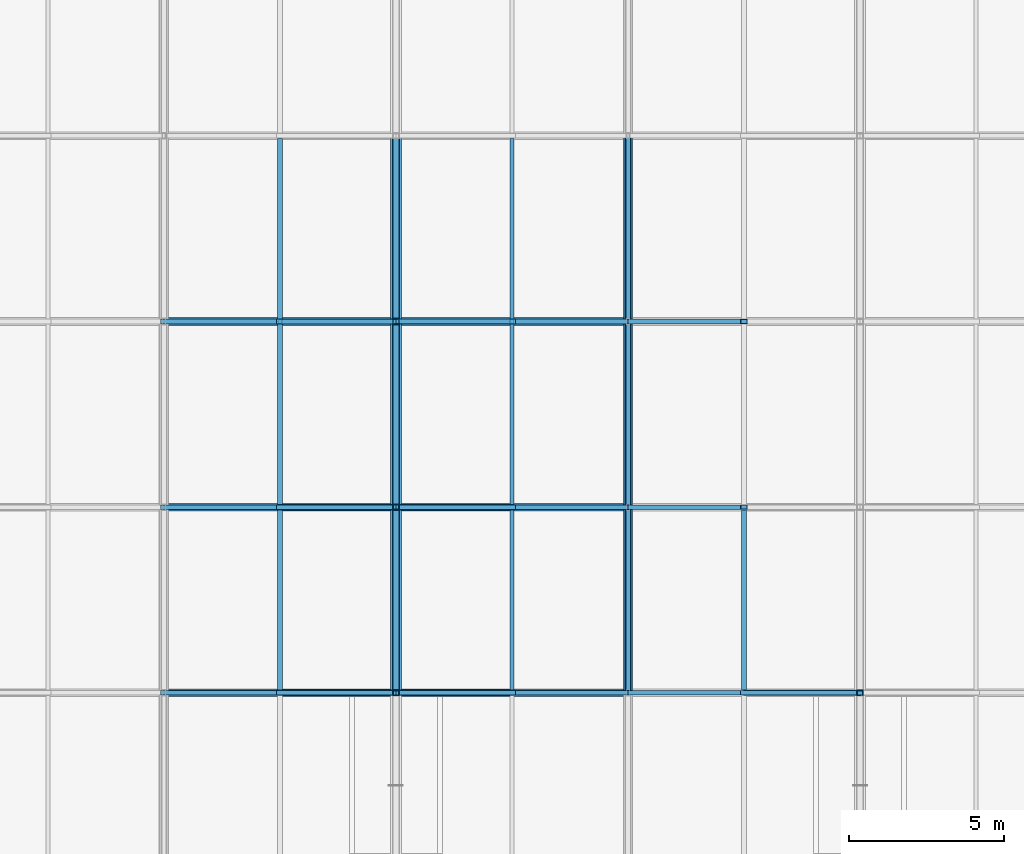
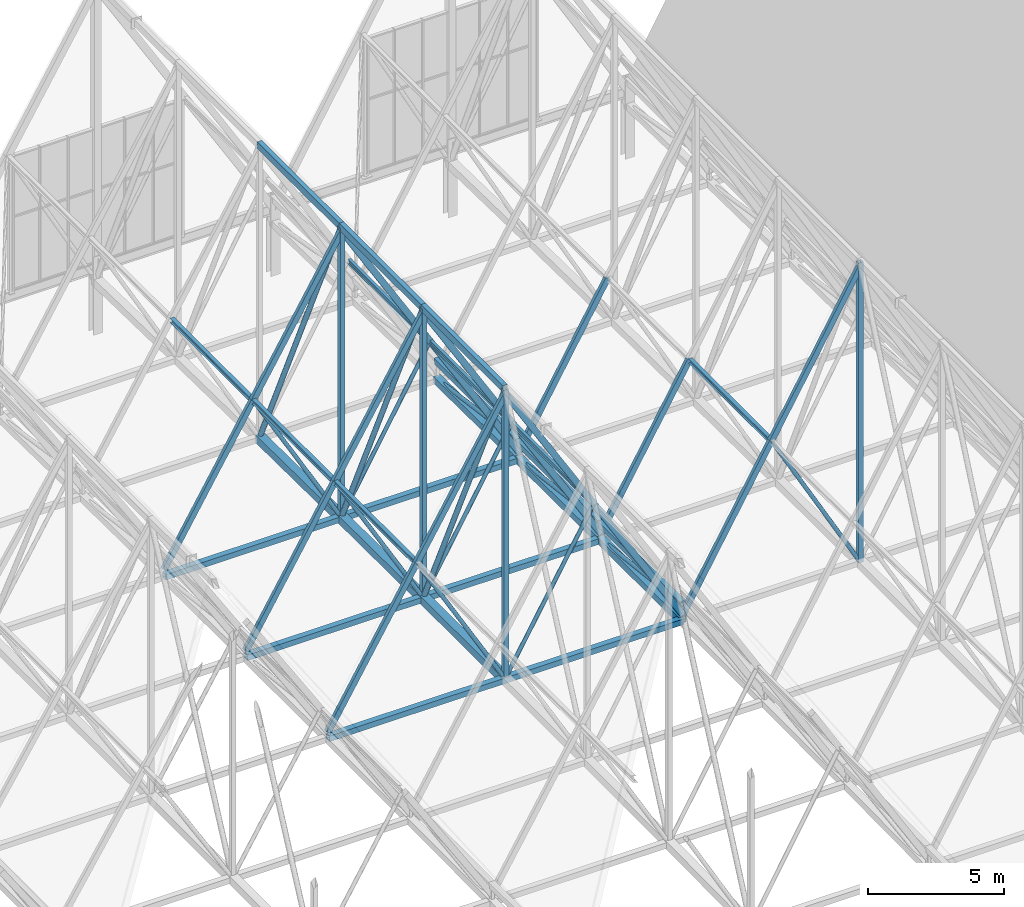
# One storey, part 112 of 324: 48 members, 7 beams.
"""IFC4 building model written with IfcOpenShell, lengths in metres."""

from ifc_helpers import new_model, si_unit, direction, frame, origin, origin_2d, place, context, subcontext, project, spatial, hollow_rectangle, hollow_circle, i_section, extrude, material, material_profile, profile_set, type_object, element, save


model = new_model("IFC4")

# Units and contexts
model_context = context("Model", 3, precision=1e-05, world=origin(), true_north=direction((0.0, 1.0)))
body_context = subcontext(model_context, "Body", "Model", "MODEL_VIEW")
ifc_project = project(units=[si_unit("LENGTHUNIT", "METRE"), si_unit("AREAUNIT", "SQUARE_METRE"), si_unit("VOLUMEUNIT", "CUBIC_METRE"), si_unit("PLANEANGLEUNIT", "RADIAN"), si_unit("MASSUNIT", "GRAM", prefix="KILO")], contexts=[model_context])

# Site, building, storey
site_placement = place(None, origin())
site = spatial("IfcSite", under=ifc_project, at=site_placement, CompositionType="ELEMENT")
building_placement = place(site_placement, origin())
building = spatial("IfcBuilding", under=site, at=building_placement, Name="Solvenia Promenade Tram Depot", CompositionType="ELEMENT")
storey_placement = place(building_placement, frame((0.0, 0.0, 4.5)))
storey = spatial("IfcBuildingStorey", under=building, at=storey_placement, Name="L01", CompositionType="ELEMENT", Elevation=4.5)

# Members
ifc_material_1 = material(Name="Structural steel ASTM A500 Gr. C", Category="steel")
ifc_material_profile_1 = material_profile(ifc_material_1, hollow_circle(Radius=0.109619140625, WallThickness=0.008056640625, at=origin_2d()), Name="CHS219.1x8", Category="steel")
ifc_profile_set_1 = profile_set([ifc_material_profile_1], Name="Structural steel ASTM A500 Gr. C")
member_type_1 = type_object("IfcMemberType", Name="Brace-CHS219x8", PredefinedType="BRACE", material=ifc_profile_set_1)
member_1_placement = place(storey_placement, frame((37.5, 102.0, 2.656005859375), z_axis=(0.0, -0.419298352523, 0.907848495935), x_axis=(1.0, 0.0, 0.0)))
element("IfcMember", 1, at=member_1_placement, inside=storey, type_object=member_type_1, Name="Arched Truss T06 Web Diagonal S06", PredefinedType="BRACE", context=body_context, shape_type="SweptSolid", body=[
    extrude(hollow_circle(Radius=0.109619140625, WallThickness=0.008056640625, at=origin_2d()), origin(), (0.0, 0.0, 1.0), 14.3095703125),
])
member_2_placement = place(storey_placement, frame((37.5, 108.0, 2.614013671875), z_axis=(0.0, -0.418183944587, 0.908362366289), x_axis=(1.0, 0.0, 0.0)))
element("IfcMember", 2, at=member_2_placement, inside=storey, type_object=member_type_1, Name="Arched Truss T06 Web Diagonal S07", PredefinedType="BRACE", context=body_context, shape_type="SweptSolid", body=[
    extrude(hollow_circle(Radius=0.109619140625, WallThickness=0.008056640625, at=origin_2d()), origin(), (0.0, 0.0, 1.0), 14.34765625),
])
member_3_placement = place(storey_placement, frame((37.5, 114.0, 2.5439453125), z_axis=(0.0, -0.416336188857, 0.909210744464), x_axis=(1.0, 0.0, 0.0)))
element("IfcMember", 3, at=member_3_placement, inside=storey, type_object=member_type_1, Name="Arched Truss T06 Web Diagonal S08", PredefinedType="BRACE", context=body_context, shape_type="SweptSolid", body=[
    extrude(hollow_circle(Radius=0.109619140625, WallThickness=0.008056640625, at=origin_2d()), origin(), (0.0, 0.0, 1.0), 14.411376953125),
])
ifc_material_profile_2 = material_profile(ifc_material_1, hollow_rectangle(XDim=0.14990234375, YDim=0.25, WallThickness=0.010009765625, at=origin_2d()), Name="HSS250x150x10", Category="steel")
ifc_profile_set_2 = profile_set([ifc_material_profile_2], Name="Structural steel ASTM A500 Gr. C")
member_type_2 = type_object("IfcMemberType", Name="Chord-HSS250x150x10", PredefinedType="CHORD", material=ifc_profile_set_2)
for number, where, z_axis, x_axis, name in (
    (4, (30.0, 96.0, 2.93017578125), (0.514584433357, 0.0, 0.857439712718), (0.0, 1.0, 0.0), "Zigzag Gable 03 West Lower Rafter"),
    (5, (33.75, 96.0, 9.1787109375), (0.514584433357, 0.0, 0.857439712718), (0.0, 1.0, 0.0), "Zigzag Gable 03 West Upper Rafter"),
    (6, (37.5, 96.0, 15.42724609375), (0.514584433357, 0.0, -0.857439712718), (0.0, 1.0, 0.0), "Zigzag Gable 03 East Upper Rafter"),
    (7, (41.25, 96.0, 9.1787109375), (0.514584433357, 0.0, -0.857439712718), (0.0, 1.0, 0.0), "Zigzag Gable 03 East Lower Rafter"),
    (8, (30.0, 102.0, 2.93017578125), (0.514584433357, 0.0, 0.857439712718), (0.0, 1.0, 0.0), "Zigzag Gable 03 West Lower Rafter"),
    (9, (33.75, 102.0, 9.1787109375), (0.514584433357, 0.0, 0.857439712718), (0.0, 1.0, 0.0), "Zigzag Gable 03 West Upper Rafter"),
    (10, (37.5, 102.0, 15.42724609375), (0.514584433357, 0.0, -0.857439712718), (0.0, 1.0, 0.0), "Zigzag Gable 03 East Upper Rafter"),
    (11, (41.25, 102.0, 9.1787109375), (0.514584433357, 0.0, -0.857439712718), (0.0, 1.0, 0.0), "Zigzag Gable 03 East Lower Rafter"),
    (12, (30.0, 108.0, 2.93017578125), (0.514584433357, 0.0, 0.857439712718), (0.0, 1.0, 0.0), "Zigzag Gable 03 West Lower Rafter"),
    (13, (33.75, 108.0, 9.1787109375), (0.514584433357, 0.0, 0.857439712718), (0.0, 1.0, 0.0), "Zigzag Gable 03 West Upper Rafter"),
    (14, (37.5, 108.0, 15.42724609375), (0.514584433357, 0.0, -0.857439712718), (0.0, 1.0, 0.0), "Zigzag Gable 03 East Upper Rafter"),
    (15, (41.25, 108.0, 9.1787109375), (0.514584433357, 0.0, -0.857439712718), (0.0, 1.0, 0.0), "Zigzag Gable 03 East Lower Rafter"),
):
    element("IfcMember", number, at=place(storey_placement, frame(where, z_axis=z_axis, x_axis=x_axis)), inside=storey, type_object=member_type_2, Name=name, PredefinedType="CHORD", context=body_context, shape_type="SweptSolid", body=[
        extrude(hollow_rectangle(XDim=0.14990234375, YDim=0.25, WallThickness=0.010009765625, at=origin_2d()), origin(), (0.0, 0.0, 1.0), 7.287353515625),
    ])
for number, where, z_axis, x_axis, name in (
    (16, (45.0, 96.0, 2.921142578125), (0.501516268578, 0.0, 0.865148214095), (0.0, 1.0, 0.0), "Zigzag Gable 04 West Lower Rafter"),
    (17, (48.75, 96.0, 9.39013671875), (0.501516268578, 0.0, 0.865148214095), (0.0, 1.0, 0.0), "Zigzag Gable 04 West Upper Rafter"),
    (18, (45.0, 102.0, 2.921142578125), (0.501516268578, 0.0, 0.865148214095), (0.0, 1.0, 0.0), "Zigzag Gable 04 West Lower Rafter"),
    (19, (45.0, 108.0, 2.921142578125), (0.501516268578, 0.0, 0.865148214095), (0.0, 1.0, 0.0), "Zigzag Gable 04 West Lower Rafter"),
):
    element("IfcMember", number, at=place(storey_placement, frame(where, z_axis=z_axis, x_axis=x_axis)), inside=storey, type_object=member_type_2, Name=name, PredefinedType="CHORD", context=body_context, shape_type="SweptSolid", body=[
        extrude(hollow_rectangle(XDim=0.14990234375, YDim=0.25, WallThickness=0.010009765625, at=origin_2d()), origin(), (0.0, 0.0, 1.0), 7.477294921875),
    ])
ifc_material_profile_3 = material_profile(ifc_material_1, hollow_rectangle(XDim=0.25, YDim=0.25, WallThickness=0.010009765625, at=origin_2d()), Name="HSS250x250x10", Category="steel")
ifc_profile_set_3 = profile_set([ifc_material_profile_3], Name="Structural steel ASTM A500 Gr. C")
member_type_3 = type_object("IfcMemberType", Name="Chord-HSS250x250x10", PredefinedType="CHORD", material=ifc_profile_set_3)
for number, where, z_axis, x_axis, name in (
    (20, (45.0, 96.0, 3.3798828125), (0.0, 1.0, 0.0), (-1.0, 0.0, 0.0), "Arched Truss T07 Upper Chord S06"),
    (21, (45.0, 102.0, 3.3798828125), (0.0, 1.0, 0.0), (-1.0, 0.0, 0.0), "Arched Truss T07 Upper Chord S07"),
    (22, (45.0, 108.0, 3.3798828125), (0.0, 1.0, 0.0), (-1.0, 0.0, 0.0), "Arched Truss T07 Upper Chord S08"),
):
    element("IfcMember", number, at=place(storey_placement, frame(where, z_axis=z_axis, x_axis=x_axis)), inside=storey, type_object=member_type_3, Name=name, PredefinedType="CHORD", context=body_context, shape_type="SweptSolid", body=[
        extrude(hollow_rectangle(XDim=0.25, YDim=0.25, WallThickness=0.010009765625, at=origin_2d()), origin(), (0.0, 0.0, 1.0), 6.0),
    ])
for number, where, z_axis, x_axis, name in (
    (23, (30.0, 96.0, 2.669921875), (1.0, 0.0, 0.0), (0.0, 1.0, 0.0), "Bottom-Chord Catenary Lateral Tie 023"),
    (24, (30.0, 102.0, 2.656005859375), (1.0, 0.0, 0.0), (0.0, 1.0, 0.0), "Bottom-Chord Catenary Lateral Tie 024"),
    (25, (30.0, 108.0, 2.614013671875), (1.0, 0.0, 0.0), (0.0, 1.0, 0.0), "Bottom-Chord Catenary Lateral Tie 025"),
):
    element("IfcMember", number, at=place(storey_placement, frame(where, z_axis=z_axis, x_axis=x_axis)), inside=storey, type_object=member_type_3, Name=name, PredefinedType="CHORD", context=body_context, shape_type="SweptSolid", body=[
        extrude(hollow_rectangle(XDim=0.25, YDim=0.25, WallThickness=0.010009765625, at=origin_2d()), origin(), (0.0, 0.0, 1.0), 15.0),
    ])
ifc_material_profile_4 = material_profile(ifc_material_1, hollow_rectangle(XDim=0.199951171875, YDim=0.300048828125, WallThickness=0.012451171875, at=origin_2d()), Name="HSS300x200x12.5", Category="steel")
ifc_profile_set_4 = profile_set([ifc_material_profile_4], Name="Structural steel ASTM A500 Gr. C")
member_type_4 = type_object("IfcMemberType", Name="Chord-HSS300x200x12", PredefinedType="CHORD", material=ifc_profile_set_4)
for number, where, z_axis, x_axis, name in (
    (26, (37.5, 96.0, 15.64697265625), (0.0, 1.0, 0.0), (-1.0, 0.0, 0.0), "Arched Truss T06 Upper Chord S06"),
    (27, (37.5, 102.0, 15.64697265625), (0.0, 1.0, 0.0), (-1.0, 0.0, 0.0), "Arched Truss T06 Upper Chord S07"),
    (28, (37.5, 108.0, 15.64697265625), (0.0, 1.0, 0.0), (-1.0, 0.0, 0.0), "Arched Truss T06 Upper Chord S08"),
):
    element("IfcMember", number, at=place(storey_placement, frame(where, z_axis=z_axis, x_axis=x_axis)), inside=storey, type_object=member_type_4, Name=name, PredefinedType="CHORD", context=body_context, shape_type="SweptSolid", body=[
        extrude(hollow_rectangle(XDim=0.199951171875, YDim=0.300048828125, WallThickness=0.012451171875, at=origin_2d()), origin(), (0.0, 0.0, 1.0), 6.0),
    ])
ifc_material_profile_5 = material_profile(ifc_material_1, hollow_rectangle(XDim=0.300048828125, YDim=0.300048828125, WallThickness=0.012451171875, at=origin_2d()), Name="HSS300x300x12.5", Category="steel")
ifc_profile_set_5 = profile_set([ifc_material_profile_5], Name="Structural steel ASTM A500 Gr. C")
member_type_5 = type_object("IfcMemberType", Name="Chord-HSS300x300x12", PredefinedType="CHORD", material=ifc_profile_set_5)
member_4_placement = place(storey_placement, frame((45.0, 96.0, 2.669921875), z_axis=(0.0, 0.999997310351, -0.002319329699), x_axis=(-1.0, 0.0, 0.0)))
element("IfcMember", 29, at=member_4_placement, inside=storey, type_object=member_type_5, Name="Arched Truss T07 Bottom Chord S06", PredefinedType="CHORD", context=body_context, shape_type="SweptSolid", body=[
    extrude(hollow_rectangle(XDim=0.300048828125, YDim=0.300048828125, WallThickness=0.012451171875, at=origin_2d()), origin(), (0.0, 0.0, 1.0), 6.0),
])
member_5_placement = place(storey_placement, frame((45.0, 102.0, 2.656005859375), z_axis=(0.0, 0.999975510013, -0.006998526519), x_axis=(-1.0, 0.0, 0.0)))
element("IfcMember", 30, at=member_5_placement, inside=storey, type_object=member_type_5, Name="Arched Truss T07 Bottom Chord S07", PredefinedType="CHORD", context=body_context, shape_type="SweptSolid", body=[
    extrude(hollow_rectangle(XDim=0.300048828125, YDim=0.300048828125, WallThickness=0.012451171875, at=origin_2d()), origin(), (0.0, 0.0, 1.0), 6.000244140625),
])
member_6_placement = place(storey_placement, frame((45.0, 108.0, 2.614013671875), z_axis=(0.0, 0.999931818432, -0.011677263667), x_axis=(-1.0, 0.0, 0.0)))
element("IfcMember", 31, at=member_6_placement, inside=storey, type_object=member_type_5, Name="Arched Truss T07 Bottom Chord S08", PredefinedType="CHORD", context=body_context, shape_type="SweptSolid", body=[
    extrude(hollow_rectangle(XDim=0.300048828125, YDim=0.300048828125, WallThickness=0.012451171875, at=origin_2d()), origin(), (0.0, 0.0, 1.0), 6.00048828125),
])
ifc_material_profile_6 = material_profile(ifc_material_1, hollow_rectangle(XDim=0.35009765625, YDim=0.35009765625, WallThickness=0.01611328125, at=origin_2d()), Name="HSS350x350x16", Category="steel")
ifc_profile_set_6 = profile_set([ifc_material_profile_6], Name="Structural steel ASTM A500 Gr. C")
member_type_6 = type_object("IfcMemberType", Name="Chord-HSS350x350x16", PredefinedType="CHORD", material=ifc_profile_set_6)
member_7_placement = place(storey_placement, frame((37.5, 96.0, 2.669921875), z_axis=(0.0, 0.999997310351, -0.002319329699), x_axis=(-1.0, 0.0, 0.0)))
element("IfcMember", 32, at=member_7_placement, inside=storey, type_object=member_type_6, Name="Arched Truss T06 Bottom Chord S06", PredefinedType="CHORD", context=body_context, shape_type="SweptSolid", body=[
    extrude(hollow_rectangle(XDim=0.35009765625, YDim=0.35009765625, WallThickness=0.01611328125, at=origin_2d()), origin(), (0.0, 0.0, 1.0), 6.0),
])
member_8_placement = place(storey_placement, frame((37.5, 102.0, 2.656005859375), z_axis=(0.0, 0.999975510013, -0.006998526519), x_axis=(-1.0, 0.0, 0.0)))
element("IfcMember", 33, at=member_8_placement, inside=storey, type_object=member_type_6, Name="Arched Truss T06 Bottom Chord S07", PredefinedType="CHORD", context=body_context, shape_type="SweptSolid", body=[
    extrude(hollow_rectangle(XDim=0.35009765625, YDim=0.35009765625, WallThickness=0.01611328125, at=origin_2d()), origin(), (0.0, 0.0, 1.0), 6.000244140625),
])
member_9_placement = place(storey_placement, frame((37.5, 108.0, 2.614013671875), z_axis=(0.0, 0.999931818432, -0.011677263667), x_axis=(-1.0, 0.0, 0.0)))
element("IfcMember", 34, at=member_9_placement, inside=storey, type_object=member_type_6, Name="Arched Truss T06 Bottom Chord S08", PredefinedType="CHORD", context=body_context, shape_type="SweptSolid", body=[
    extrude(hollow_rectangle(XDim=0.35009765625, YDim=0.35009765625, WallThickness=0.01611328125, at=origin_2d()), origin(), (0.0, 0.0, 1.0), 6.00048828125),
])
ifc_material_profile_7 = material_profile(ifc_material_1, hollow_rectangle(XDim=0.199951171875, YDim=0.199951171875, WallThickness=0.010009765625, at=origin_2d()), Name="HSS200x200x10", Category="steel")
ifc_profile_set_7 = profile_set([ifc_material_profile_7], Name="Structural steel ASTM A500 Gr. C")
member_type_7 = type_object("IfcMemberType", Name="Post-HSS200x200x10", PredefinedType="POST", material=ifc_profile_set_7)
member_10_placement = place(storey_placement, frame((37.5, 96.0, 2.669921875), z_axis=(0.0, 0.0, 1.0), x_axis=(1.0, 0.0, 0.0)))
element("IfcMember", 35, at=member_10_placement, inside=storey, type_object=member_type_7, Name="Arched Truss T06 Web Post S05", PredefinedType="POST", context=body_context, shape_type="SweptSolid", body=[
    extrude(hollow_rectangle(XDim=0.199951171875, YDim=0.199951171875, WallThickness=0.010009765625, at=origin_2d()), origin(), (0.0, 0.0, 1.0), 12.97705078125),
])
member_11_placement = place(storey_placement, frame((37.5, 102.0, 2.656005859375), z_axis=(0.0, 0.0, 1.0), x_axis=(1.0, 0.0, 0.0)))
element("IfcMember", 36, at=member_11_placement, inside=storey, type_object=member_type_7, Name="Arched Truss T06 Web Post S06", PredefinedType="POST", context=body_context, shape_type="SweptSolid", body=[
    extrude(hollow_rectangle(XDim=0.199951171875, YDim=0.199951171875, WallThickness=0.010009765625, at=origin_2d()), origin(), (0.0, 0.0, 1.0), 12.990966796875),
])
member_12_placement = place(storey_placement, frame((37.5, 108.0, 2.614013671875), z_axis=(0.0, 0.0, 1.0), x_axis=(1.0, 0.0, 0.0)))
element("IfcMember", 37, at=member_12_placement, inside=storey, type_object=member_type_7, Name="Arched Truss T06 Web Post S07", PredefinedType="POST", context=body_context, shape_type="SweptSolid", body=[
    extrude(hollow_rectangle(XDim=0.199951171875, YDim=0.199951171875, WallThickness=0.010009765625, at=origin_2d()), origin(), (0.0, 0.0, 1.0), 13.032958984375),
])
member_13_placement = place(storey_placement, frame((52.5, 96.0, 2.669921875), z_axis=(0.0, 0.0, 1.0), x_axis=(1.0, 0.0, 0.0)))
element("IfcMember", 38, at=member_13_placement, inside=storey, type_object=member_type_7, Name="Arched Truss T08 Web Post S05", PredefinedType="POST", context=body_context, shape_type="SweptSolid", body=[
    extrude(hollow_rectangle(XDim=0.199951171875, YDim=0.199951171875, WallThickness=0.010009765625, at=origin_2d()), origin(), (0.0, 0.0, 1.0), 13.41796875),
])

# Beams
ifc_material_2 = material(Name="Structural steel ASTM A992 Gr. 50", Category="steel")
ifc_material_profile_8 = material_profile(ifc_material_2, i_section(OverallWidth=0.133056640625, OverallDepth=0.20703125, WebThickness=0.005859375, FlangeThickness=0.00830078125, FilletRadius=0.009033203125, at=origin_2d()), Name="W200x27", Category="steel")
ifc_profile_set_8 = profile_set([ifc_material_profile_8], Name="Structural steel ASTM A992 Gr. 50")
beam_type_1 = type_object("IfcBeamType", Name="Purlin-W200x27", PredefinedType="USERDEFINED", material=ifc_profile_set_8)
for number, where, z_axis, x_axis, name in (
    (39, (41.25, 96.0849609375, 9.169677734375), (0.0, 1.0, 0.0), (-1.0, 0.0, 0.0), "Gable Roof Purlin E-0052"),
    (40, (41.25, 102.0849609375, 9.169677734375), (0.0, 1.0, 0.0), (-1.0, 0.0, 0.0), "Gable Roof Purlin E-0054"),
    (41, (41.25, 108.0849609375, 9.169677734375), (0.0, 1.0, 0.0), (-1.0, 0.0, 0.0), "Gable Roof Purlin E-0056"),
):
    element("IfcBeam", number, at=place(storey_placement, frame(where, z_axis=z_axis, x_axis=x_axis)), inside=storey, type_object=beam_type_1, Name=name, ObjectType="PURLIN", PredefinedType="USERDEFINED", context=body_context, shape_type="SweptSolid", body=[
        extrude(i_section(OverallWidth=0.133056640625, OverallDepth=0.20703125, WebThickness=0.005859375, FlangeThickness=0.00830078125, FilletRadius=0.009033203125, at=origin_2d()), origin(), (0.0, 0.0, 1.0), 5.830078125),
    ])
ifc_material_profile_9 = material_profile(ifc_material_2, i_section(OverallWidth=0.1650390625, OverallDepth=0.200927734375, WebThickness=0.006103515625, FlangeThickness=0.01025390625, FilletRadius=0.010009765625, at=origin_2d()), Name="W200x36", Category="steel")
ifc_profile_set_9 = profile_set([ifc_material_profile_9], Name="Structural steel ASTM A992 Gr. 50")
beam_type_2 = type_object("IfcBeamType", Name="Purlin-W200x36", PredefinedType="USERDEFINED", material=ifc_profile_set_9)
for number, where, z_axis, x_axis, name in (
    (42, (33.75, 96.0849609375, 9.169677734375), (0.0, 1.0, 0.0), (-1.0, 0.0, 0.0), "Gable Roof Purlin W-0051"),
    (43, (33.75, 102.0849609375, 9.169677734375), (0.0, 1.0, 0.0), (-1.0, 0.0, 0.0), "Gable Roof Purlin W-0053"),
    (44, (33.75, 108.0849609375, 9.169677734375), (0.0, 1.0, 0.0), (-1.0, 0.0, 0.0), "Gable Roof Purlin W-0055"),
    (45, (48.75, 96.0849609375, 9.375732421875), (0.0, 1.0, 0.0), (-1.0, 0.0, 0.0), "Gable Roof Purlin W-0071"),
):
    element("IfcBeam", number, at=place(storey_placement, frame(where, z_axis=z_axis, x_axis=x_axis)), inside=storey, type_object=beam_type_2, Name=name, ObjectType="PURLIN", PredefinedType="USERDEFINED", context=body_context, shape_type="SweptSolid", body=[
        extrude(i_section(OverallWidth=0.1650390625, OverallDepth=0.200927734375, WebThickness=0.006103515625, FlangeThickness=0.01025390625, FilletRadius=0.010009765625, at=origin_2d()), origin(), (0.0, 0.0, 1.0), 5.830078125),
    ])

# Members
ifc_material_profile_10 = material_profile(ifc_material_1, hollow_circle(Radius=0.084228515625, WallThickness=0.008056640625, at=origin_2d()), Name="CHS168.3x8", Category="steel")
ifc_profile_set_10 = profile_set([ifc_material_profile_10], Name="Structural steel ASTM A500 Gr. C")
member_type_8 = type_object("IfcMemberType", Name="WebDiag-CHS168x8", PredefinedType="BRACE", material=ifc_profile_set_10)
member_14_placement = place(storey_placement, frame((45.0, 102.0, 2.656005859375), z_axis=(0.0, -0.992800749036, 0.119777596879), x_axis=(1.0, 0.0, 0.0)))
element("IfcMember", 46, at=member_14_placement, inside=storey, type_object=member_type_8, Name="Arched Truss T07 Web Diagonal S06", PredefinedType="BRACE", context=body_context, shape_type="SweptSolid", body=[
    extrude(hollow_circle(Radius=0.084228515625, WallThickness=0.008056640625, at=origin_2d()), origin(), (0.0, 0.0, 1.0), 6.04345703125),
])
member_15_placement = place(storey_placement, frame((45.0, 108.0, 2.614013671875), z_axis=(0.0, -0.991951613347, 0.126617521609), x_axis=(1.0, 0.0, 0.0)))
element("IfcMember", 47, at=member_15_placement, inside=storey, type_object=member_type_8, Name="Arched Truss T07 Web Diagonal S07", PredefinedType="BRACE", context=body_context, shape_type="SweptSolid", body=[
    extrude(hollow_circle(Radius=0.084228515625, WallThickness=0.008056640625, at=origin_2d()), origin(), (0.0, 0.0, 1.0), 6.048583984375),
])
member_16_placement = place(storey_placement, frame((45.0, 114.0, 2.5439453125), z_axis=(0.0, -0.990433608353, 0.13799009908), x_axis=(1.0, 0.0, 0.0)))
element("IfcMember", 48, at=member_16_placement, inside=storey, type_object=member_type_8, Name="Arched Truss T07 Web Diagonal S08", PredefinedType="BRACE", context=body_context, shape_type="SweptSolid", body=[
    extrude(hollow_circle(Radius=0.084228515625, WallThickness=0.008056640625, at=origin_2d()), origin(), (0.0, 0.0, 1.0), 6.057861328125),
])
for number, where, z_axis, x_axis, name in (
    (49, (37.5, 96.0, 2.669921875), (-0.499215914633, 0.0, 0.866477622664), (0.0, -1.0, 0.0), "Zigzag Gable 03 West Knee Strut"),
    (50, (37.5, 96.0, 2.669921875), (0.499215914633, 0.0, 0.866477622664), (0.0, 1.0, 0.0), "Zigzag Gable 03 East Knee Strut"),
):
    element("IfcMember", number, at=place(storey_placement, frame(where, z_axis=z_axis, x_axis=x_axis)), inside=storey, type_object=member_type_8, Name=name, PredefinedType="BRACE", context=body_context, shape_type="SweptSolid", body=[
        extrude(hollow_circle(Radius=0.084228515625, WallThickness=0.008056640625, at=origin_2d()), origin(), (0.0, 0.0, 1.0), 7.51171875),
    ])
for number, where, z_axis, x_axis, name in (
    (51, (37.5, 102.0, 2.656005859375), (-0.498415644551, 0.0, 0.866938201527), (0.0, -1.0, 0.0), "Zigzag Gable 03 West Knee Strut"),
    (52, (37.5, 102.0, 2.656005859375), (0.498415644551, 0.0, 0.866938201527), (0.0, 1.0, 0.0), "Zigzag Gable 03 East Knee Strut"),
):
    element("IfcMember", number, at=place(storey_placement, frame(where, z_axis=z_axis, x_axis=x_axis)), inside=storey, type_object=member_type_8, Name=name, PredefinedType="BRACE", context=body_context, shape_type="SweptSolid", body=[
        extrude(hollow_circle(Radius=0.084228515625, WallThickness=0.008056640625, at=origin_2d()), origin(), (0.0, 0.0, 1.0), 7.52392578125),
    ])
for number, where, z_axis, x_axis, name in (
    (53, (37.5, 108.0, 2.614013671875), (-0.496013737424, 0.0, 0.868314673541), (0.0, -1.0, 0.0), "Zigzag Gable 03 West Knee Strut"),
    (54, (37.5, 108.0, 2.614013671875), (0.496013737424, 0.0, 0.868314673541), (0.0, 1.0, 0.0), "Zigzag Gable 03 East Knee Strut"),
):
    element("IfcMember", number, at=place(storey_placement, frame(where, z_axis=z_axis, x_axis=x_axis)), inside=storey, type_object=member_type_8, Name=name, PredefinedType="BRACE", context=body_context, shape_type="SweptSolid", body=[
        extrude(hollow_circle(Radius=0.084228515625, WallThickness=0.008056640625, at=origin_2d()), origin(), (0.0, 0.0, 1.0), 7.560302734375),
    ])
member_17_placement = place(storey_placement, frame((52.5, 96.0, 2.669921875), z_axis=(-0.48728515229, 0.0, 0.873242910282), x_axis=(0.0, -1.0, 0.0)))
element("IfcMember", 55, at=member_17_placement, inside=storey, type_object=member_type_8, Name="Zigzag Gable 04 West Knee Strut", PredefinedType="BRACE", context=body_context, shape_type="SweptSolid", body=[
    extrude(hollow_circle(Radius=0.084228515625, WallThickness=0.008056640625, at=origin_2d()), origin(), (0.0, 0.0, 1.0), 7.69580078125),
])

save(model, "model.ifc")
